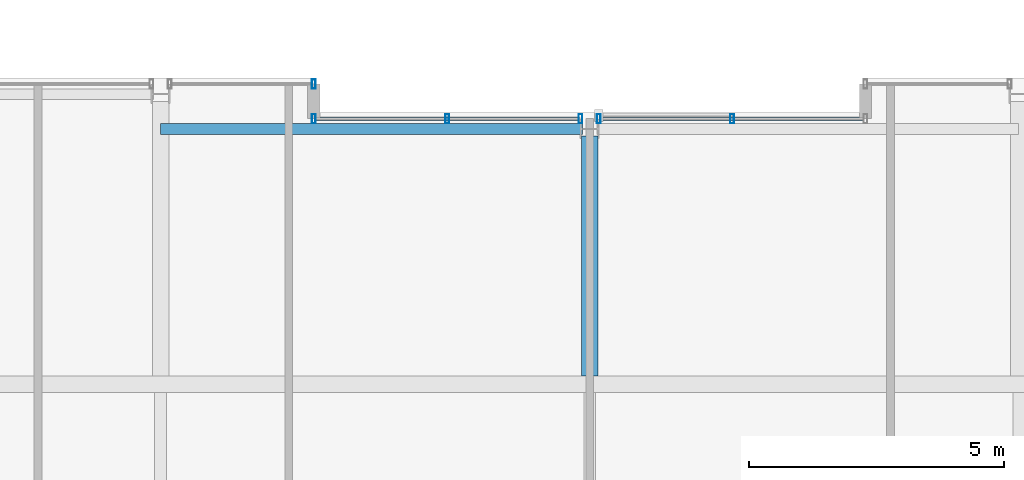
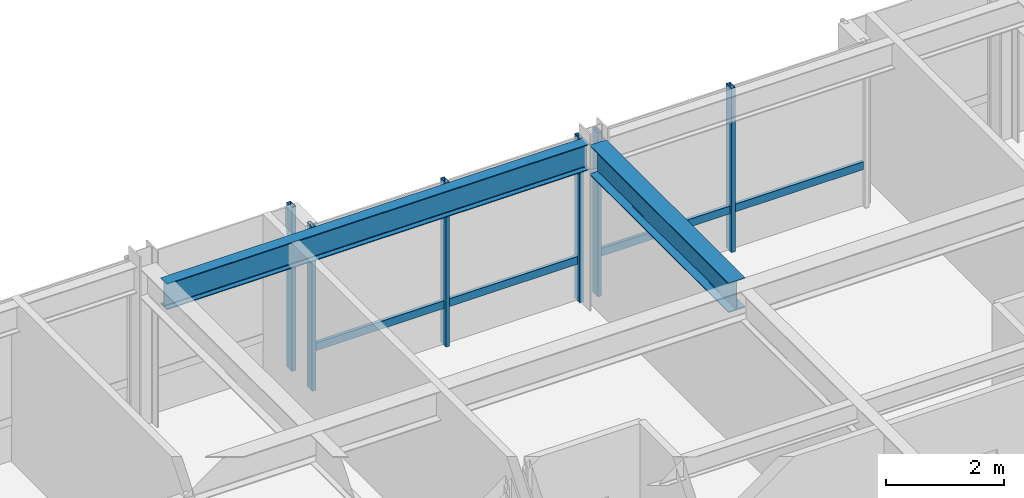
# One storey, part 20 of 32: 8 members, 2 beams, 3 elements without a shape of their own.
"""IFC4 building model written with IfcOpenShell, lengths in metres."""

from ifc_helpers import new_model, si_unit, direction, frame, origin, origin_2d, place, context, subcontext, project, spatial, hollow_rectangle, i_section, extrude, material, layer, layer_set, material_profile, profile_set, type_object, element, aggregate, save


model = new_model("IFC4")

# Units and contexts
model_context = context("Model", 3, precision=1e-05, world=origin(), true_north=direction((0.0, 1.0)))
body_context = subcontext(model_context, "Body", "Model", "MODEL_VIEW")
ifc_project = project(units=[si_unit("LENGTHUNIT", "METRE"), si_unit("AREAUNIT", "SQUARE_METRE"), si_unit("VOLUMEUNIT", "CUBIC_METRE"), si_unit("PLANEANGLEUNIT", "RADIAN"), si_unit("MASSUNIT", "GRAM", prefix="KILO")], contexts=[model_context])

# Site, building, storey
site_placement = place(None, origin())
site = spatial("IfcSite", under=ifc_project, at=site_placement, CompositionType="ELEMENT")
building_placement = place(site_placement, origin())
building = spatial("IfcBuilding", under=site, at=building_placement, Name="Drelvath Grand Hotel", CompositionType="ELEMENT")
storey_placement = place(building_placement, frame((0.0, 0.0, 265.0)))
storey = spatial("IfcBuildingStorey", under=building, at=storey_placement, Name="L69", CompositionType="ELEMENT", Elevation=265.0)

# Curtain wall, member
ifc_material_1 = material(Name="Platinum-Mist Anodised Aluminium Frame", Category="aluminium")
ifc_layer = layer(ifc_material_1, 0.199951171875)
ifc_layer_set = layer_set([ifc_layer], Name="Platinum-Mist Anodised Aluminium Frame")
curtain_wall_type = type_object("IfcCurtainWallType", Name="Stick Curtain Wall CW-05 Platinum Mist High-Rise", PredefinedType="NOTDEFINED", material=ifc_layer_set)
curtain_wall_1_placement = place(storey_placement, origin())
curtain_wall_1 = element("IfcCurtainWall", 1, at=curtain_wall_1_placement, inside=storey, type_object=curtain_wall_type, Name="L69 CW-05 Curtain Wall CW05-L69-NM1", PredefinedType="NOTDEFINED")
ifc_material_profile_1 = material_profile(ifc_material_1, hollow_rectangle(XDim=0.06494140625, YDim=0.159912109375, WallThickness=0.00390625, at=origin_2d()), Name="HSS160X65X4")
ifc_profile_set_1 = profile_set([ifc_material_profile_1], Name="Platinum-Mist Anodised Aluminium Frame")
member_type_1 = type_object("IfcMemberType", Name="Curtain Wall Horizontal Transom CW-05 HSS160X65X4", PredefinedType="USERDEFINED", material=ifc_profile_set_1)
member_1_placement = place(storey_placement, frame((-5.360107421875, 48.39990234375, 0.847412109375), z_axis=(1.0, 0.0, 0.0), x_axis=(0.0, 1.0, 0.0)))
member_1 = element("IfcMember", 2, at=member_1_placement, type_object=member_type_1, Name="CW05-L69-NM1 Sill Transom", ObjectType="TRANSOM", PredefinedType="USERDEFINED", context=body_context, shape_type="SweptSolid", body=[
    extrude(hollow_rectangle(XDim=0.06494140625, YDim=0.159912109375, WallThickness=0.00390625, at=origin_2d()), origin(), (0.0, 0.0, 1.0), 5.141845703125),
])

curtain_wall_2_placement = place(storey_placement, origin())
curtain_wall_2 = element("IfcCurtainWall", 3, at=curtain_wall_2_placement, inside=storey, type_object=curtain_wall_type, Name="L69 CW-05 Curtain Wall CW05-L69-NM2", PredefinedType="NOTDEFINED")
member_2_placement = place(storey_placement, frame((0.21826171875, 48.39990234375, 0.847412109375), z_axis=(1.0, 0.0, 0.0), x_axis=(0.0, 1.0, 0.0)))
member_2 = element("IfcMember", 4, at=member_2_placement, type_object=member_type_1, Name="CW05-L69-NM2 Sill Transom", ObjectType="TRANSOM", PredefinedType="USERDEFINED", context=body_context, shape_type="SweptSolid", body=[
    extrude(hollow_rectangle(XDim=0.06494140625, YDim=0.159912109375, WallThickness=0.00390625, at=origin_2d()), origin(), (0.0, 0.0, 1.0), 5.141845703125),
])

curtain_wall_3_placement = place(storey_placement, origin())
curtain_wall_3 = element("IfcCurtainWall", 5, at=curtain_wall_3_placement, inside=storey, type_object=curtain_wall_type, Name="L69 CW-05 Curtain Wall CW05-L69-NW2", PredefinedType="NOTDEFINED")
ifc_material_profile_2 = material_profile(ifc_material_1, hollow_rectangle(XDim=0.074951171875, YDim=0.179931640625, WallThickness=0.0048828125, at=origin_2d()), Name="HSS180X75X5")
ifc_profile_set_2 = profile_set([ifc_material_profile_2], Name="Platinum-Mist Anodised Aluminium Frame")
member_type_2 = type_object("IfcMemberType", Name="Curtain Wall Vertical Mullion CW-05 HSS180X75X5", PredefinedType="MULLION", material=ifc_profile_set_2)
member_3_placement = place(storey_placement, frame((-5.39990234375, 49.080078125, 0.0), z_axis=(0.0, 0.0, 1.0), x_axis=(1.0, 0.0, 0.0)))
member_3 = element("IfcMember", 6, at=member_3_placement, type_object=member_type_2, Name="CW05-L69-NW2 Mullion 2", PredefinedType="MULLION", context=body_context, shape_type="SweptSolid", body=[
    extrude(hollow_rectangle(XDim=0.074951171875, YDim=0.179931640625, WallThickness=0.0048828125, at=origin_2d()), origin(), (0.0, 0.0, 1.0), 3.389892578125),
])
aggregate(curtain_wall_3, [member_3])

# Member
member_4_placement = place(storey_placement, frame((-5.39990234375, 48.39990234375, 0.0), z_axis=(0.0, 0.0, 1.0), x_axis=(1.0, 0.0, 0.0)))
member_4 = element("IfcMember", 7, at=member_4_placement, type_object=member_type_2, Name="CW05-L69-NM1 Mullion 1", PredefinedType="MULLION", context=body_context, shape_type="SweptSolid", body=[
    extrude(hollow_rectangle(XDim=0.074951171875, YDim=0.179931640625, WallThickness=0.0048828125, at=origin_2d()), origin(), (0.0, 0.0, 1.0), 3.389892578125),
])

member_5_placement = place(storey_placement, frame((-2.7890625, 48.39990234375, 0.0), z_axis=(0.0, 0.0, 1.0), x_axis=(1.0, 0.0, 0.0)))
member_5 = element("IfcMember", 8, at=member_5_placement, type_object=member_type_2, Name="CW05-L69-NM1 Mullion 2", PredefinedType="MULLION", context=body_context, shape_type="SweptSolid", body=[
    extrude(hollow_rectangle(XDim=0.074951171875, YDim=0.179931640625, WallThickness=0.0048828125, at=origin_2d()), origin(), (0.0, 0.0, 1.0), 3.389892578125),
])

member_6_placement = place(storey_placement, frame((-0.17822265625, 48.39990234375, 0.0), z_axis=(0.0, 0.0, 1.0), x_axis=(1.0, 0.0, 0.0)))
member_6 = element("IfcMember", 9, at=member_6_placement, type_object=member_type_2, Name="CW05-L69-NM1 Mullion 3", PredefinedType="MULLION", context=body_context, shape_type="SweptSolid", body=[
    extrude(hollow_rectangle(XDim=0.074951171875, YDim=0.179931640625, WallThickness=0.0048828125, at=origin_2d()), origin(), (0.0, 0.0, 1.0), 3.389892578125),
])

aggregate(curtain_wall_1, [member_4, member_5, member_6, member_1])

member_7_placement = place(storey_placement, frame((0.17822265625, 48.39990234375, 0.0), z_axis=(0.0, 0.0, 1.0), x_axis=(1.0, 0.0, 0.0)))
member_7 = element("IfcMember", 10, at=member_7_placement, type_object=member_type_2, Name="CW05-L69-NM2 Mullion 1", PredefinedType="MULLION", context=body_context, shape_type="SweptSolid", body=[
    extrude(hollow_rectangle(XDim=0.074951171875, YDim=0.179931640625, WallThickness=0.0048828125, at=origin_2d()), origin(), (0.0, 0.0, 1.0), 3.389892578125),
])

member_8_placement = place(storey_placement, frame((2.7890625, 48.39990234375, 0.0), z_axis=(0.0, 0.0, 1.0), x_axis=(1.0, 0.0, 0.0)))
member_8 = element("IfcMember", 11, at=member_8_placement, type_object=member_type_2, Name="CW05-L69-NM2 Mullion 2", PredefinedType="MULLION", context=body_context, shape_type="SweptSolid", body=[
    extrude(hollow_rectangle(XDim=0.074951171875, YDim=0.179931640625, WallThickness=0.0048828125, at=origin_2d()), origin(), (0.0, 0.0, 1.0), 3.389892578125),
])

aggregate(curtain_wall_2, [member_7, member_8, member_2])

# Beams
ifc_material_2 = material(Name="Steel ASTM A992 Gr 50", Category="steel")
ifc_material_profile_3 = material_profile(ifc_material_2, i_section(OverallWidth=0.210205078125, OverallDepth=0.53662109375, WebThickness=0.010986328125, FlangeThickness=0.017333984375, FilletRadius=0.01806640625, at=origin_2d()), Name="W21X68")
ifc_profile_set_3 = profile_set([ifc_material_profile_3], Name="Steel ASTM A992 Gr 50")
beam_type_1 = type_object("IfcBeamType", Name="Perimeter Spandrel Beam W21X68", PredefinedType="SPANDREL", material=ifc_profile_set_3)
beam_1_placement = place(storey_placement, frame((-8.39990234375, 48.199951171875, 3.12158203125), z_axis=(1.0, 0.0, 0.0), x_axis=(0.0, 1.0, 0.0)))
element("IfcBeam", 12, at=beam_1_placement, inside=storey, type_object=beam_type_1, Name="L69 Spandrel North Mid W", PredefinedType="SPANDREL", context=body_context, shape_type="SweptSolid", body=[
    extrude(i_section(OverallWidth=0.210205078125, OverallDepth=0.53662109375, WebThickness=0.010986328125, FlangeThickness=0.017333984375, FilletRadius=0.01806640625, at=origin_2d()), origin(), (0.0, 0.0, 1.0), 8.260009765625),
])
ifc_material_profile_4 = material_profile(ifc_material_2, i_section(OverallWidth=0.323974609375, OverallDepth=0.611083984375, WebThickness=0.0126953125, FlangeThickness=0.01904296875, FilletRadius=0.02197265625, at=origin_2d()), Name="W24X104")
ifc_profile_set_4 = profile_set([ifc_material_profile_4], Name="Steel ASTM A992 Gr 50")
beam_type_2 = type_object("IfcBeamType", Name="Primary Floor Girder W24X104", PredefinedType="BEAM", material=ifc_profile_set_4)
beam_2_placement = place(storey_placement, frame((0.0, 43.362060546875, 3.08447265625), z_axis=(0.0, 1.0, 0.0), x_axis=(-1.0, 0.0, 0.0)))
element("IfcBeam", 13, at=beam_2_placement, inside=storey, type_object=beam_type_2, Name="L69 North Wing Girder 5", PredefinedType="BEAM", context=body_context, shape_type="SweptSolid", body=[
    extrude(i_section(OverallWidth=0.323974609375, OverallDepth=0.611083984375, WebThickness=0.0126953125, FlangeThickness=0.01904296875, FilletRadius=0.02197265625, at=origin_2d()), origin(), (0.0, 0.0, 1.0), 4.697998046875),
])

save(model, "model.ifc")
